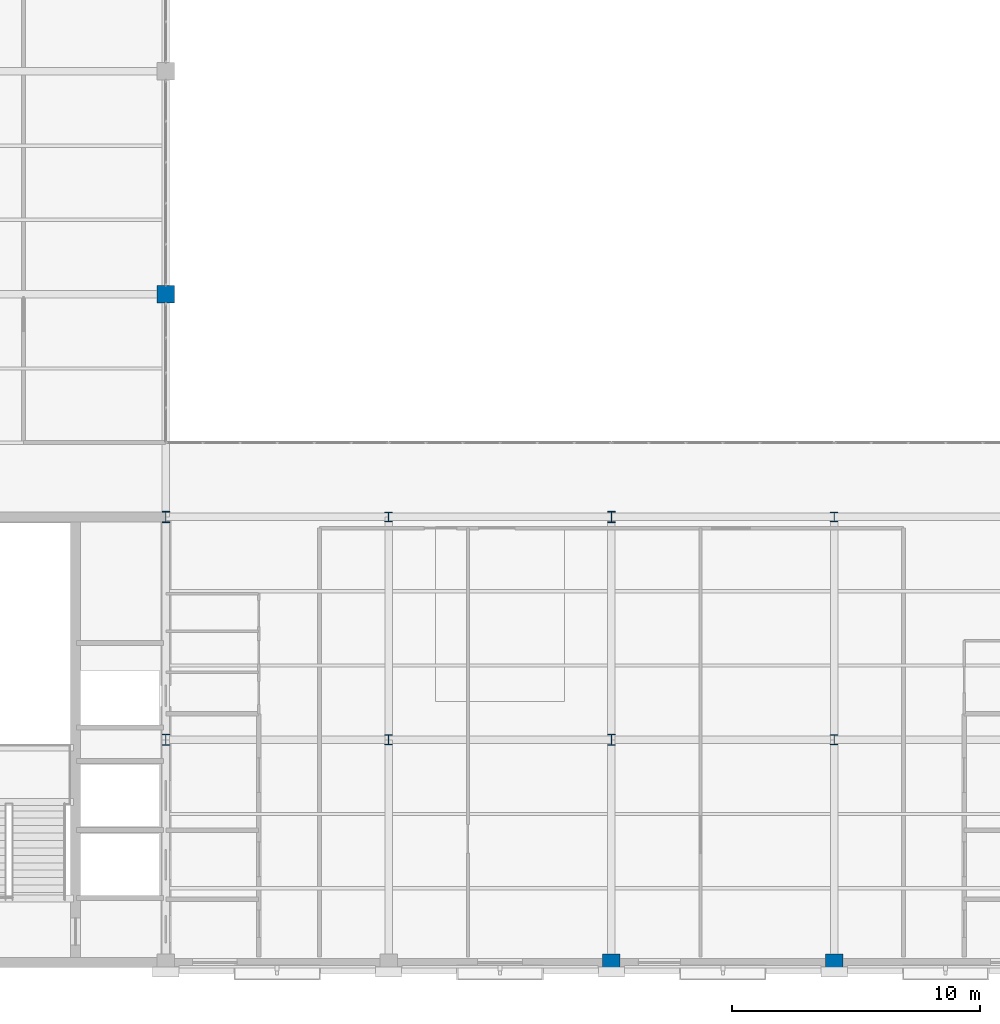
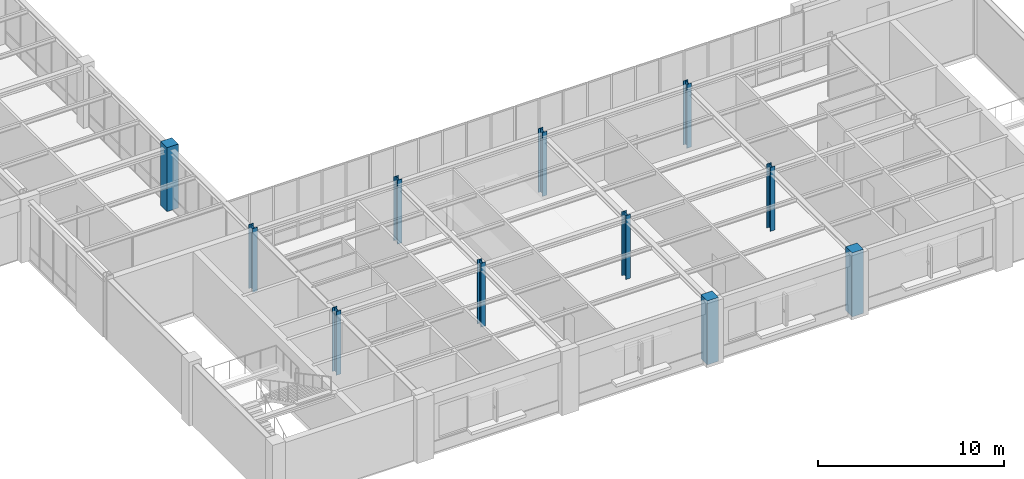
# One storey, part 2 of 130: 11 columns.
"""IFC4 building model written with IfcOpenShell, lengths in metres."""

from ifc_helpers import new_model, si_unit, direction, frame, origin, origin_2d, place, context, subcontext, project, spatial, rectangle, i_section, extrude, material, material_profile, profile_set, type_object, element, save


model = new_model("IFC4")

# Units and contexts
model_context = context("Model", 3, precision=1e-05, world=origin(), true_north=direction((0.0, 1.0)))
body_context = subcontext(model_context, "Body", "Model", "MODEL_VIEW")
ifc_project = project(units=[si_unit("LENGTHUNIT", "METRE"), si_unit("AREAUNIT", "SQUARE_METRE"), si_unit("VOLUMEUNIT", "CUBIC_METRE"), si_unit("PLANEANGLEUNIT", "RADIAN"), si_unit("MASSUNIT", "GRAM", prefix="KILO")], contexts=[model_context])

# Site, building, storey
site_placement = place(None, origin())
site = spatial("IfcSite", under=ifc_project, at=site_placement, CompositionType="ELEMENT")
building_placement = place(site_placement, origin())
building = spatial("IfcBuilding", under=site, at=building_placement, Name="Lykobir Media Centre", CompositionType="ELEMENT")
storey_placement = place(building_placement, frame((0.0, 0.0, 19.199951171875)))
storey = spatial("IfcBuildingStorey", under=building, at=storey_placement, Name="L04", CompositionType="ELEMENT", Elevation=19.199951171875)

# Columns
ifc_material_1 = material(Name="Concrete C40/50", Category="concrete")
ifc_material_profile_1 = material_profile(ifc_material_1, rectangle(XDim=0.699951171875, YDim=0.699951171875, at=origin_2d()), Name="RC 700x700")
ifc_profile_set_1 = profile_set([ifc_material_profile_1], Name="Concrete C40/50")
column_type_1 = type_object("IfcColumnType", Name="RC-C700", PredefinedType="COLUMN", material=ifc_profile_set_1)
column_placement = place(storey_placement, frame((36.0, 27.0, 0.0), z_axis=(0.0, 0.0, 1.0), x_axis=(1.0, 0.0, 0.0)))
element("IfcColumn", 1, at=column_placement, inside=storey, type_object=column_type_1, Name="Column COL-L04-0360-0270", PredefinedType="COLUMN", context=body_context, shape_type="SweptSolid", body=[
    extrude(rectangle(XDim=0.699951171875, YDim=0.699951171875, at=origin_2d()), origin(), (0.0, 0.0, 1.0), 4.199951171875),
])
ifc_material_profile_2 = material_profile(ifc_material_1, rectangle(XDim=0.699951171875, YDim=0.699951171875, at=origin_2d()), Name="RC 700x700")
ifc_profile_set_2 = profile_set([ifc_material_profile_2], Name="Concrete C40/50")
column_type_2 = type_object("IfcColumnType", Name="RC-C700-E", PredefinedType="COLUMN", material=ifc_profile_set_2)
for number, where, z_axis, x_axis, name in (
    (2, (54.0, 0.0, 0.0), (0.0, 0.0, 1.0), (1.0, 0.0, 0.0), "Column COL-L04-0540-0000"),
    (3, (63.0, 0.0, 0.0), (0.0, 0.0, 1.0), (1.0, 0.0, 0.0), "Column COL-L04-0630-0000"),
):
    element("IfcColumn", number, at=place(storey_placement, frame(where, z_axis=z_axis, x_axis=x_axis)), inside=storey, type_object=column_type_2, Name=name, PredefinedType="COLUMN", context=body_context, shape_type="SweptSolid", body=[
        extrude(rectangle(XDim=0.699951171875, YDim=0.699951171875, at=origin_2d()), origin(), (0.0, 0.0, 1.0), 4.199951171875),
    ])
ifc_material_2 = material(Name="Steel S355", Category="steel")
ifc_material_profile_3 = material_profile(ifc_material_2, i_section(OverallWidth=0.300048828125, OverallDepth=0.39990234375, WebThickness=0.013427734375, FlangeThickness=0.02392578125, at=origin_2d()), Name="HEB 400")
ifc_profile_set_3 = profile_set([ifc_material_profile_3], Name="Steel S355")
column_type_3 = type_object("IfcColumnType", Name="SC-HEB400", PredefinedType="COLUMN", material=ifc_profile_set_3)
for number, where, z_axis, x_axis, name in (
    (4, (45.0, 9.0, 0.0), (0.0, 0.0, 1.0), (1.0, 0.0, 0.0), "Column COL-L04-0450-0090"),
    (5, (45.0, 18.0, 0.0), (0.0, 0.0, 1.0), (1.0, 0.0, 0.0), "Column COL-L04-0450-0180"),
    (6, (63.0, 9.0, 0.0), (0.0, 0.0, 1.0), (1.0, 0.0, 0.0), "Column COL-L04-0630-0090"),
    (7, (63.0, 18.0, 0.0), (0.0, 0.0, 1.0), (1.0, 0.0, 0.0), "Column COL-L04-0630-0180"),
):
    element("IfcColumn", number, at=place(storey_placement, frame(where, z_axis=z_axis, x_axis=x_axis)), inside=storey, type_object=column_type_3, Name=name, PredefinedType="COLUMN", context=body_context, shape_type="SweptSolid", body=[
        extrude(i_section(OverallWidth=0.300048828125, OverallDepth=0.39990234375, WebThickness=0.013427734375, FlangeThickness=0.02392578125, at=origin_2d()), origin(), (0.0, 0.0, 1.0), 4.199951171875),
    ])
ifc_material_profile_4 = material_profile(ifc_material_2, i_section(OverallWidth=0.300048828125, OverallDepth=0.449951171875, WebThickness=0.013916015625, FlangeThickness=0.02587890625, at=origin_2d()), Name="HEB 450")
ifc_profile_set_4 = profile_set([ifc_material_profile_4], Name="Steel S355")
column_type_4 = type_object("IfcColumnType", Name="SC-HEB450", PredefinedType="COLUMN", material=ifc_profile_set_4)
for number, where, z_axis, x_axis, name in (
    (8, (36.0, 9.0, 0.0), (0.0, 0.0, 1.0), (1.0, 0.0, 0.0), "Column COL-L04-0360-0090"),
    (9, (36.0, 18.0, 0.0), (0.0, 0.0, 1.0), (1.0, 0.0, 0.0), "Column COL-L04-0360-0180"),
    (10, (54.0, 9.0, 0.0), (0.0, 0.0, 1.0), (1.0, 0.0, 0.0), "Column COL-L04-0540-0090"),
    (11, (54.0, 18.0, 0.0), (0.0, 0.0, 1.0), (1.0, 0.0, 0.0), "Column COL-L04-0540-0180"),
):
    element("IfcColumn", number, at=place(storey_placement, frame(where, z_axis=z_axis, x_axis=x_axis)), inside=storey, type_object=column_type_4, Name=name, PredefinedType="COLUMN", context=body_context, shape_type="SweptSolid", body=[
        extrude(i_section(OverallWidth=0.300048828125, OverallDepth=0.449951171875, WebThickness=0.013916015625, FlangeThickness=0.02587890625, at=origin_2d()), origin(), (0.0, 0.0, 1.0), 4.199951171875),
    ])

save(model, "model.ifc")
